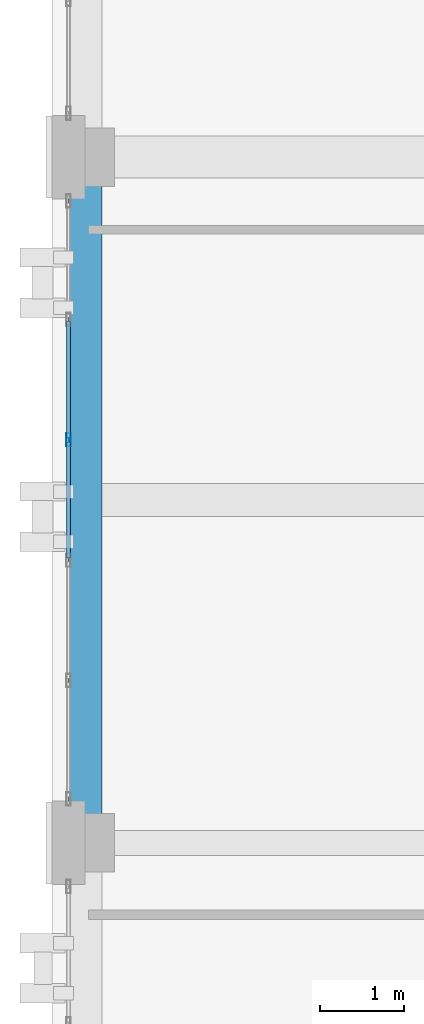
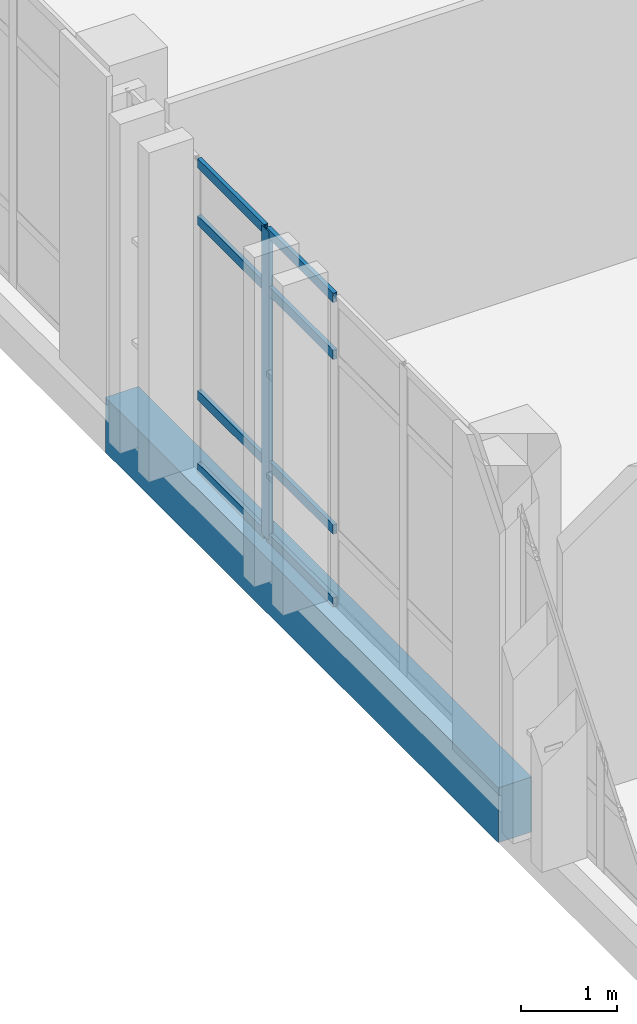
# One storey, part 68 of 158: 9 members, 1 beam, 1 element without a shape of its own.
"""IFC4 building model written with IfcOpenShell, lengths in metres."""

import ifcopenshell
import ifcopenshell.guid

model = None  # the IFC model being written
_history = None  # IfcOwnerHistory: only IFC2X3 demands one
_inside = {}  # id of a spatial element -> (the spatial element, [elements in it])
_under = {}  # id of a project, library or spatial element -> (it, [spatial elements below it])
_declared = {}  # id of a project -> (the project, [libraries it declares])
_typed = {}  # id of a type object -> (the type object, [elements of that type])
_made_of = {}  # id of a material, layer set ... -> (it, [elements and type objects made of it])


def new_model(schema):
    """Start an empty IFC model of exactly this schema.

    Asked for "IFC4X3", IfcOpenShell would pick the latest addendum, in which some entities
    have other attributes; the version numbers below select the first issue.
    IFC2X3 requires an IfcOwnerHistory on every rooted entity: one is made here for all.
    """
    global model, _history
    if schema == "IFC4X3":
        model = ifcopenshell.file(schema_version=(4, 3, 0, 0))
    else:
        model = ifcopenshell.file(schema=schema)
    _inside.clear()
    _under.clear()
    _declared.clear()
    _typed.clear()
    _made_of.clear()
    _history = None
    if model.schema == "IFC2X3":
        org = make("IfcOrganization", Name="unknown")
        user = make(
            "IfcPersonAndOrganization",
            ThePerson=make("IfcPerson", FamilyName="unknown"),
            TheOrganization=org,
        )
        app = make(
            "IfcApplication",
            ApplicationDeveloper=org,
            Version="unknown",
            ApplicationFullName="unknown",
            ApplicationIdentifier="unknown",
        )
        _history = make(
            "IfcOwnerHistory",
            OwningUser=user,
            OwningApplication=app,
            ChangeAction="ADDED",
            CreationDate=0,
        )
    return model


def make(cls, **values):
    """One entity of the class cls with the attributes given. An attribute that is None is left unset."""
    return model.create_entity(
        cls, **{name: value for name, value in values.items() if value is not None}
    )


def rooted(cls, **values):
    """An entity with a GlobalId (a new one), such as an element, a storey or a relation."""
    return make(cls, GlobalId=ifcopenshell.guid.new(), OwnerHistory=_history, **values)


def si_unit(unit_type, name, prefix=None):
    """IfcSIUnit, for example si_unit("LENGTHUNIT", "METRE", prefix="MILLI")."""
    return make("IfcSIUnit", UnitType=unit_type, Prefix=prefix, Name=name)


def assignment(units):
    """IfcUnitAssignment: the units of a project."""
    return None if units is None else make("IfcUnitAssignment", Units=units)


def point(xyz):
    """IfcCartesianPoint."""
    return None if xyz is None else make("IfcCartesianPoint", Coordinates=xyz)


def direction(xyz):
    """IfcDirection."""
    return None if xyz is None else make("IfcDirection", DirectionRatios=xyz)


def frame(location, z_axis=None, x_axis=None):
    """IfcAxis2Placement3D, a coordinate frame: its origin and axes. An axis left out is left unset."""
    return make(
        "IfcAxis2Placement3D",
        Location=point(location),
        Axis=direction(z_axis),
        RefDirection=direction(x_axis),
    )


def frame_2d(location, x_axis=None):
    """IfcAxis2Placement2D, a coordinate frame in the plane: its origin and x axis."""
    return make(
        "IfcAxis2Placement2D", Location=point(location), RefDirection=direction(x_axis)
    )


def origin():
    """The frame at (0, 0, 0) with its axes left unset."""
    return frame((0.0, 0.0, 0.0))


def origin_2d():
    """The frame at (0, 0) in the plane with its x axis left unset."""
    return frame_2d((0.0, 0.0))


def place(relative_to, where):
    """IfcLocalPlacement: puts the frame where relative to a parent placement (None: the world)."""
    return make(
        "IfcLocalPlacement", PlacementRelTo=relative_to, RelativePlacement=where
    )


def context(
    kind, dimensions, precision=None, world=None, true_north=None, identifier=None
):
    """IfcGeometricRepresentationContext, for example the 3D "Model" context."""
    return make(
        "IfcGeometricRepresentationContext",
        ContextIdentifier=identifier,
        ContextType=kind,
        CoordinateSpaceDimension=dimensions,
        Precision=precision,
        WorldCoordinateSystem=world,
        TrueNorth=true_north,
    )


def subcontext(parent, identifier, kind, view, scale=None):
    """IfcGeometricRepresentationSubContext, for example "Body" below "Model"."""
    return make(
        "IfcGeometricRepresentationSubContext",
        ContextIdentifier=identifier,
        ContextType=kind,
        ParentContext=parent,
        TargetScale=scale,
        TargetView=view,
    )


def project(units=None, contexts=None):
    """IfcProject with its units and contexts."""
    return rooted(
        "IfcProject",
        Name="project",
        RepresentationContexts=contexts,
        UnitsInContext=assignment(units),
    )


def spatial(cls, under=None, at=None, **own):
    """A site, building, storey or space (cls), placed at a placement, below another one or the project."""
    s = rooted(cls, ObjectPlacement=at, **own)
    if under is not None:
        _under.setdefault(under.id(), (under, []))[1].append(s)
    return s


def profile(cls, at=None, kind="AREA", **sizes):
    """A parametric profile (cls). Its sizes go by their IFC names, for example OverallWidth=200.0."""
    return make(cls, ProfileType=kind, Position=at, **sizes)


def rectangle(**sizes):
    """IfcRectangleProfileDef."""
    return profile("IfcRectangleProfileDef", **sizes)


def hollow_rectangle(**sizes):
    """IfcRectangleHollowProfileDef."""
    return profile("IfcRectangleHollowProfileDef", **sizes)


def extrude(swept, where, along, depth):
    """IfcExtrudedAreaSolid: the profile swept, set in the frame where, extruded along a direction by depth."""
    return make(
        "IfcExtrudedAreaSolid",
        SweptArea=swept,
        Position=where,
        ExtrudedDirection=direction(along),
        Depth=depth,
    )


def shape(context_of_items, identifier, shape_type, items):
    """IfcShapeRepresentation: the items that make up one representation, for example the "Body"."""
    return make(
        "IfcShapeRepresentation",
        ContextOfItems=context_of_items,
        RepresentationIdentifier=identifier,
        RepresentationType=shape_type,
        Items=items,
    )


def material(Name=None, Category=None):
    """IfcMaterial."""
    return make("IfcMaterial", Name=Name, Category=Category)


def layer(
    of_material, thickness, ventilated=None, Name=None, Category=None, Priority=None
):
    """IfcMaterialLayer: one layer of a wall or slab, of a material (None: an air gap)."""
    return make(
        "IfcMaterialLayer",
        Material=of_material,
        LayerThickness=thickness,
        IsVentilated=ventilated,
        Name=Name,
        Category=Category,
        Priority=Priority,
    )


def layer_set(layers, Name=None):
    """IfcMaterialLayerSet."""
    return make("IfcMaterialLayerSet", MaterialLayers=layers, LayerSetName=Name)


def material_profile(
    of_material, cross_section, Name=None, Category=None, Priority=None
):
    """IfcMaterialProfile: a cross section and its material."""
    return make(
        "IfcMaterialProfile",
        Name=Name,
        Material=of_material,
        Profile=cross_section,
        Priority=Priority,
        Category=Category,
    )


def profile_set(profiles, Name=None, composite=None):
    """IfcMaterialProfileSet."""
    return make(
        "IfcMaterialProfileSet",
        Name=Name,
        MaterialProfiles=profiles,
        CompositeProfile=composite,
    )


def made_of(thing, what):
    """Note that an element or type object is made of a material, layer set ...; save() writes the relation."""
    if what is not None:
        _made_of.setdefault(what.id(), (what, []))[1].append(thing)
    return thing


def type_object(cls, material=None, **own):
    """A type object (cls), such as IfcWallType, which elements share."""
    return made_of(rooted(cls, **own), material)


def element(
    cls,
    number,
    at=None,
    inside=None,
    cuts=None,
    type_object=None,
    material=None,
    context=None,
    identifier="Body",
    shape_type=None,
    held_by="IfcProductDefinitionShape",
    body=None,
    shapes=None,
    **own,
):
    """One element of the class cls, such as IfcWall. Its Tag is "e" and its number.

    at: its placement. inside: the storey or other place that contains it. cuts: it is an
    opening in that element (IfcRelVoidsElement). A single representation is given by context,
    identifier, shape_type and body (its items); several are given by shapes. held_by: the class
    of the entity that holds the representations. save() writes the other relations.
    """
    e = rooted(cls, Tag="e%d" % number, ObjectPlacement=at, **own)
    if body is not None:
        shapes = [shape(context, identifier, shape_type, body)]
    if shapes is not None:
        e.Representation = make(held_by, Representations=shapes)
    if inside is not None:
        _inside.setdefault(inside.id(), (inside, []))[1].append(e)
    if cuts is not None:
        rooted(
            "IfcRelVoidsElement", RelatingBuildingElement=cuts, RelatedOpeningElement=e
        )
    if type_object is not None:
        _typed.setdefault(type_object.id(), (type_object, []))[1].append(e)
    return made_of(e, material)


def aggregate(whole, parts):
    """IfcRelAggregates: a whole, such as a stair, and the parts it consists of."""
    return rooted("IfcRelAggregates", RelatingObject=whole, RelatedObjects=parts)


def save(model, path):
    """Write the relations noted so far, then the file.

    IfcRelAggregates (storeys below a building ...), IfcRelContainedInSpatialStructure (elements
    in a storey), IfcRelDefinesByType, IfcRelAssociatesMaterial and IfcRelDeclares: one each for
    every whole, place, type object, material and project.
    """
    for whole, parts in _under.values():
        aggregate(whole, parts)
    for where, things in _inside.values():
        rooted(
            "IfcRelContainedInSpatialStructure",
            RelatedElements=things,
            RelatingStructure=where,
        )
    for kind, things in _typed.values():
        rooted("IfcRelDefinesByType", RelatedObjects=things, RelatingType=kind)
    for what, things in _made_of.values():
        rooted("IfcRelAssociatesMaterial", RelatedObjects=things, RelatingMaterial=what)
    for by, libraries in _declared.values():
        rooted("IfcRelDeclares", RelatingContext=by, RelatedDefinitions=libraries)
    model.write(path)


model = new_model("IFC4")

# Units and contexts
model_context = context("Model", 3, precision=1e-05, world=origin(), true_north=direction((0.0, 1.0)))
body_context = subcontext(model_context, "Body", "Model", "MODEL_VIEW")
ifc_project = project(units=[si_unit("LENGTHUNIT", "METRE"), si_unit("AREAUNIT", "SQUARE_METRE"), si_unit("VOLUMEUNIT", "CUBIC_METRE"), si_unit("PLANEANGLEUNIT", "RADIAN"), si_unit("MASSUNIT", "GRAM", prefix="KILO")], contexts=[model_context])

# Site, building, storey
site_placement = place(None, origin())
site = spatial("IfcSite", under=ifc_project, at=site_placement, CompositionType="ELEMENT")
building_placement = place(site_placement, origin())
building = spatial("IfcBuilding", under=site, at=building_placement, Name="Qalavern Law Courts", CompositionType="ELEMENT")
storey_placement = place(building_placement, frame((0.0, 0.0, 18.60009765625)))
storey = spatial("IfcBuildingStorey", under=building, at=storey_placement, Name="L04", CompositionType="ELEMENT", Elevation=18.60009765625)

# Curtain wall, members
ifc_material_1 = material(Name="Anodised aluminium and insulated glazing", Category="aluminium")
ifc_layer = layer(ifc_material_1, 0.159912109375)
ifc_layer_set = layer_set([ifc_layer], Name="Anodised aluminium and insulated glazing")
curtain_wall_type = type_object("IfcCurtainWallType", Name="ENV-CW-CHAMB", PredefinedType="USERDEFINED", material=ifc_layer_set)
curtain_wall_placement = place(storey_placement, origin())
curtain_wall = element("IfcCurtainWall", 1, at=curtain_wall_placement, inside=storey, type_object=curtain_wall_type, Name="V3 unitised curtain wall L04 west 2", ObjectType="UNITISED CURTAIN WALL", PredefinedType="USERDEFINED")
ifc_material_2 = material(Name="Anodised aluminium", Category="aluminium")
ifc_material_profile_1 = material_profile(ifc_material_2, hollow_rectangle(XDim=0.048095703125, YDim=0.159912109375, WallThickness=0.00390625, at=origin_2d()), Name="ALU MULLION 48x160")
ifc_profile_set_1 = profile_set([ifc_material_profile_1], Name="Anodised aluminium")
member_type_1 = type_object("IfcMemberType", Name="ENV-CWM-48x160", PredefinedType="MULLION", material=ifc_profile_set_1)
member_1_placement = place(storey_placement, frame((2.199951171875, 84.219970703125, 0.0), z_axis=(0.0, 0.0, 1.0), x_axis=(1.0, 0.0, 0.0)))
member_1 = element("IfcMember", 2, at=member_1_placement, type_object=member_type_1, Name="CW-04 mullion 3", PredefinedType="MULLION", context=body_context, shape_type="SweptSolid", body=[
    extrude(hollow_rectangle(XDim=0.048095703125, YDim=0.159912109375, WallThickness=0.00390625, at=origin_2d()), origin(), (0.0, 0.0, 1.0), 3.9248046875),
])
ifc_material_profile_2 = material_profile(ifc_material_2, hollow_rectangle(XDim=0.048095703125, YDim=0.1201171875, WallThickness=0.00390625, at=origin_2d()), Name="ALU TRANSOM 48x120")
ifc_profile_set_2 = profile_set([ifc_material_profile_2], Name="Anodised aluminium")
member_type_2 = type_object("IfcMemberType", Name="ENV-CWT-48x120", PredefinedType="USERDEFINED", material=ifc_profile_set_2)
member_2_placement = place(storey_placement, frame((2.199951171875, 85.635986328125, 0.02392578125), z_axis=(0.0, -1.0, 0.0), x_axis=(1.0, 0.0, 0.0)))
member_2 = element("IfcMember", 3, at=member_2_placement, type_object=member_type_2, Name="CW-04 transom 2.1", ObjectType="TRANSOM", PredefinedType="USERDEFINED", context=body_context, shape_type="SweptSolid", body=[
    extrude(hollow_rectangle(XDim=0.048095703125, YDim=0.1201171875, WallThickness=0.00390625, at=origin_2d()), origin(), (0.0, 0.0, 1.0), 1.39208984375),
])
member_3_placement = place(storey_placement, frame((2.199951171875, 85.635986328125, 0.949951171875), z_axis=(0.0, -1.0, 0.0), x_axis=(1.0, 0.0, 0.0)))
member_3 = element("IfcMember", 4, at=member_3_placement, type_object=member_type_2, Name="CW-04 transom 2.2", ObjectType="TRANSOM", PredefinedType="USERDEFINED", context=body_context, shape_type="SweptSolid", body=[
    extrude(hollow_rectangle(XDim=0.048095703125, YDim=0.1201171875, WallThickness=0.00390625, at=origin_2d()), origin(), (0.0, 0.0, 1.0), 1.39208984375),
])
member_4_placement = place(storey_placement, frame((2.199951171875, 85.635986328125, 3.1748046875), z_axis=(0.0, -1.0, 0.0), x_axis=(1.0, 0.0, 0.0)))
member_4 = element("IfcMember", 5, at=member_4_placement, type_object=member_type_2, Name="CW-04 transom 2.3", ObjectType="TRANSOM", PredefinedType="USERDEFINED", context=body_context, shape_type="SweptSolid", body=[
    extrude(hollow_rectangle(XDim=0.048095703125, YDim=0.1201171875, WallThickness=0.00390625, at=origin_2d()), origin(), (0.0, 0.0, 1.0), 1.39208984375),
])
member_5_placement = place(storey_placement, frame((2.199951171875, 85.635986328125, 3.90087890625), z_axis=(0.0, -1.0, 0.0), x_axis=(1.0, 0.0, 0.0)))
member_5 = element("IfcMember", 6, at=member_5_placement, type_object=member_type_2, Name="CW-04 transom 2.4", ObjectType="TRANSOM", PredefinedType="USERDEFINED", context=body_context, shape_type="SweptSolid", body=[
    extrude(hollow_rectangle(XDim=0.048095703125, YDim=0.1201171875, WallThickness=0.00390625, at=origin_2d()), origin(), (0.0, 0.0, 1.0), 1.39208984375),
])
member_6_placement = place(storey_placement, frame((2.199951171875, 84.196044921875, 0.02392578125), z_axis=(0.0, -1.0, 0.0), x_axis=(1.0, 0.0, 0.0)))
member_6 = element("IfcMember", 7, at=member_6_placement, type_object=member_type_2, Name="CW-04 transom 3.1", ObjectType="TRANSOM", PredefinedType="USERDEFINED", context=body_context, shape_type="SweptSolid", body=[
    extrude(hollow_rectangle(XDim=0.048095703125, YDim=0.1201171875, WallThickness=0.00390625, at=origin_2d()), origin(), (0.0, 0.0, 1.0), 1.39208984375),
])
member_7_placement = place(storey_placement, frame((2.199951171875, 84.196044921875, 0.949951171875), z_axis=(0.0, -1.0, 0.0), x_axis=(1.0, 0.0, 0.0)))
member_7 = element("IfcMember", 8, at=member_7_placement, type_object=member_type_2, Name="CW-04 transom 3.2", ObjectType="TRANSOM", PredefinedType="USERDEFINED", context=body_context, shape_type="SweptSolid", body=[
    extrude(hollow_rectangle(XDim=0.048095703125, YDim=0.1201171875, WallThickness=0.00390625, at=origin_2d()), origin(), (0.0, 0.0, 1.0), 1.39208984375),
])
member_8_placement = place(storey_placement, frame((2.199951171875, 84.196044921875, 3.1748046875), z_axis=(0.0, -1.0, 0.0), x_axis=(1.0, 0.0, 0.0)))
member_8 = element("IfcMember", 9, at=member_8_placement, type_object=member_type_2, Name="CW-04 transom 3.3", ObjectType="TRANSOM", PredefinedType="USERDEFINED", context=body_context, shape_type="SweptSolid", body=[
    extrude(hollow_rectangle(XDim=0.048095703125, YDim=0.1201171875, WallThickness=0.00390625, at=origin_2d()), origin(), (0.0, 0.0, 1.0), 1.39208984375),
])
member_9_placement = place(storey_placement, frame((2.199951171875, 84.196044921875, 3.90087890625), z_axis=(0.0, -1.0, 0.0), x_axis=(1.0, 0.0, 0.0)))
member_9 = element("IfcMember", 10, at=member_9_placement, type_object=member_type_2, Name="CW-04 transom 3.4", ObjectType="TRANSOM", PredefinedType="USERDEFINED", context=body_context, shape_type="SweptSolid", body=[
    extrude(hollow_rectangle(XDim=0.048095703125, YDim=0.1201171875, WallThickness=0.00390625, at=origin_2d()), origin(), (0.0, 0.0, 1.0), 1.39208984375),
])
aggregate(curtain_wall, [member_1, member_2, member_3, member_4, member_5, member_6, member_7, member_8, member_9])

# Beam
ifc_material_3 = material(Name="Concrete C40/50", Category="concrete")
ifc_material_profile_3 = material_profile(ifc_material_3, rectangle(XDim=0.39990234375, YDim=0.699951171875, at=origin_2d()), Name="RC 400x700")
ifc_profile_set_3 = profile_set([ifc_material_profile_3], Name="Concrete C40/50")
beam_type = type_object("IfcBeamType", Name="STR-SP-RC400x700", PredefinedType="SPANDREL", material=ifc_profile_set_3)
beam_placement = place(storey_placement, frame((2.39990234375, 79.39990234375, -0.630126953125), z_axis=(0.0, 1.0, 0.0), x_axis=(-1.0, 0.0, 0.0)))
element("IfcBeam", 11, at=beam_placement, inside=storey, type_object=beam_type, Name="V3 Y-beam 1-6 L04", PredefinedType="SPANDREL", context=body_context, shape_type="SweptSolid", body=[
    extrude(rectangle(XDim=0.39990234375, YDim=0.699951171875, at=origin_2d()), origin(), (0.0, 0.0, 1.0), 8.2001953125),
])

save(model, "model.ifc")
